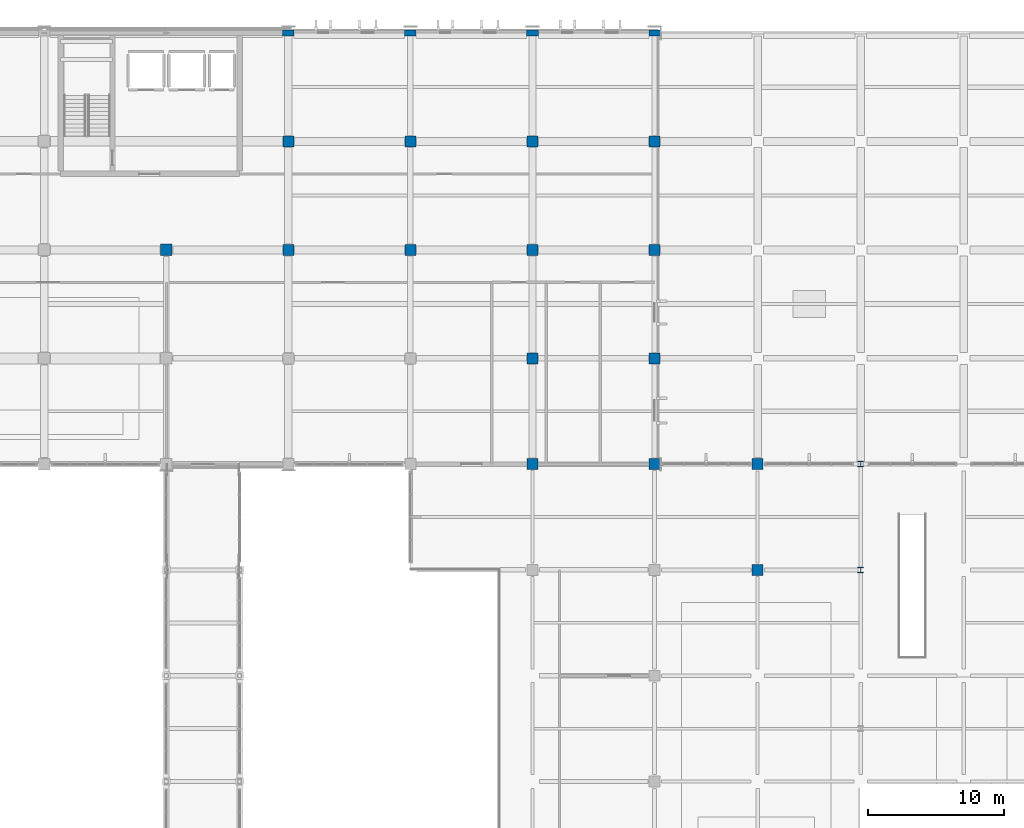
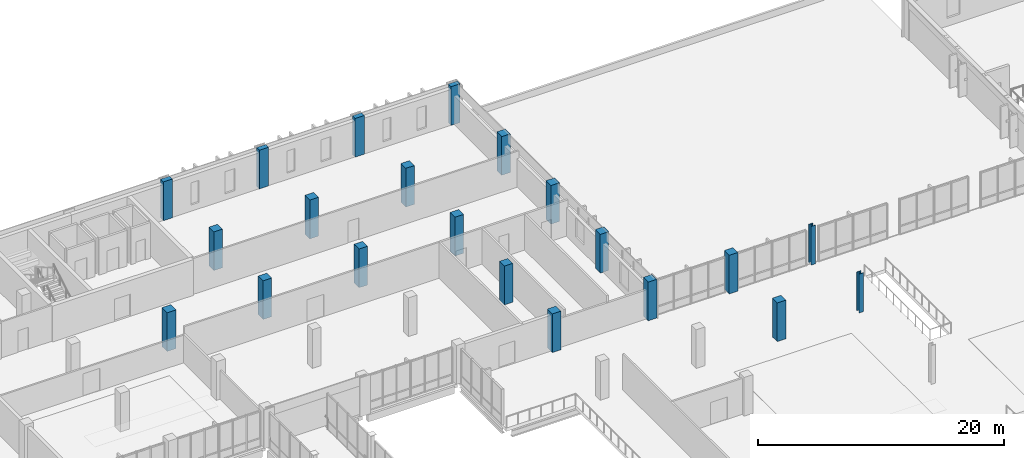
# One storey, part 11 of 85: 21 columns.
"""IFC4 building model written with IfcOpenShell, lengths in metres."""

import ifcopenshell
import ifcopenshell.guid

model = None  # the IFC model being written
_history = None  # IfcOwnerHistory: only IFC2X3 demands one
_inside = {}  # id of a spatial element -> (the spatial element, [elements in it])
_under = {}  # id of a project, library or spatial element -> (it, [spatial elements below it])
_declared = {}  # id of a project -> (the project, [libraries it declares])
_typed = {}  # id of a type object -> (the type object, [elements of that type])
_made_of = {}  # id of a material, layer set ... -> (it, [elements and type objects made of it])


def new_model(schema):
    """Start an empty IFC model of exactly this schema.

    Asked for "IFC4X3", IfcOpenShell would pick the latest addendum, in which some entities
    have other attributes; the version numbers below select the first issue.
    IFC2X3 requires an IfcOwnerHistory on every rooted entity: one is made here for all.
    """
    global model, _history
    if schema == "IFC4X3":
        model = ifcopenshell.file(schema_version=(4, 3, 0, 0))
    else:
        model = ifcopenshell.file(schema=schema)
    _inside.clear()
    _under.clear()
    _declared.clear()
    _typed.clear()
    _made_of.clear()
    _history = None
    if model.schema == "IFC2X3":
        org = make("IfcOrganization", Name="unknown")
        user = make(
            "IfcPersonAndOrganization",
            ThePerson=make("IfcPerson", FamilyName="unknown"),
            TheOrganization=org,
        )
        app = make(
            "IfcApplication",
            ApplicationDeveloper=org,
            Version="unknown",
            ApplicationFullName="unknown",
            ApplicationIdentifier="unknown",
        )
        _history = make(
            "IfcOwnerHistory",
            OwningUser=user,
            OwningApplication=app,
            ChangeAction="ADDED",
            CreationDate=0,
        )
    return model


def make(cls, **values):
    """One entity of the class cls with the attributes given. An attribute that is None is left unset."""
    return model.create_entity(
        cls, **{name: value for name, value in values.items() if value is not None}
    )


def rooted(cls, **values):
    """An entity with a GlobalId (a new one), such as an element, a storey or a relation."""
    return make(cls, GlobalId=ifcopenshell.guid.new(), OwnerHistory=_history, **values)


def si_unit(unit_type, name, prefix=None):
    """IfcSIUnit, for example si_unit("LENGTHUNIT", "METRE", prefix="MILLI")."""
    return make("IfcSIUnit", UnitType=unit_type, Prefix=prefix, Name=name)


def assignment(units):
    """IfcUnitAssignment: the units of a project."""
    return None if units is None else make("IfcUnitAssignment", Units=units)


def point(xyz):
    """IfcCartesianPoint."""
    return None if xyz is None else make("IfcCartesianPoint", Coordinates=xyz)


def direction(xyz):
    """IfcDirection."""
    return None if xyz is None else make("IfcDirection", DirectionRatios=xyz)


def frame(location, z_axis=None, x_axis=None):
    """IfcAxis2Placement3D, a coordinate frame: its origin and axes. An axis left out is left unset."""
    return make(
        "IfcAxis2Placement3D",
        Location=point(location),
        Axis=direction(z_axis),
        RefDirection=direction(x_axis),
    )


def frame_2d(location, x_axis=None):
    """IfcAxis2Placement2D, a coordinate frame in the plane: its origin and x axis."""
    return make(
        "IfcAxis2Placement2D", Location=point(location), RefDirection=direction(x_axis)
    )


def origin():
    """The frame at (0, 0, 0) with its axes left unset."""
    return frame((0.0, 0.0, 0.0))


def origin_2d():
    """The frame at (0, 0) in the plane with its x axis left unset."""
    return frame_2d((0.0, 0.0))


def place(relative_to, where):
    """IfcLocalPlacement: puts the frame where relative to a parent placement (None: the world)."""
    return make(
        "IfcLocalPlacement", PlacementRelTo=relative_to, RelativePlacement=where
    )


def context(
    kind, dimensions, precision=None, world=None, true_north=None, identifier=None
):
    """IfcGeometricRepresentationContext, for example the 3D "Model" context."""
    return make(
        "IfcGeometricRepresentationContext",
        ContextIdentifier=identifier,
        ContextType=kind,
        CoordinateSpaceDimension=dimensions,
        Precision=precision,
        WorldCoordinateSystem=world,
        TrueNorth=true_north,
    )


def subcontext(parent, identifier, kind, view, scale=None):
    """IfcGeometricRepresentationSubContext, for example "Body" below "Model"."""
    return make(
        "IfcGeometricRepresentationSubContext",
        ContextIdentifier=identifier,
        ContextType=kind,
        ParentContext=parent,
        TargetScale=scale,
        TargetView=view,
    )


def project(units=None, contexts=None):
    """IfcProject with its units and contexts."""
    return rooted(
        "IfcProject",
        Name="project",
        RepresentationContexts=contexts,
        UnitsInContext=assignment(units),
    )


def spatial(cls, under=None, at=None, **own):
    """A site, building, storey or space (cls), placed at a placement, below another one or the project."""
    s = rooted(cls, ObjectPlacement=at, **own)
    if under is not None:
        _under.setdefault(under.id(), (under, []))[1].append(s)
    return s


def profile(cls, at=None, kind="AREA", **sizes):
    """A parametric profile (cls). Its sizes go by their IFC names, for example OverallWidth=200.0."""
    return make(cls, ProfileType=kind, Position=at, **sizes)


def rectangle(**sizes):
    """IfcRectangleProfileDef."""
    return profile("IfcRectangleProfileDef", **sizes)


def i_section(**sizes):
    """IfcIShapeProfileDef."""
    return profile("IfcIShapeProfileDef", **sizes)


def extrude(swept, where, along, depth):
    """IfcExtrudedAreaSolid: the profile swept, set in the frame where, extruded along a direction by depth."""
    return make(
        "IfcExtrudedAreaSolid",
        SweptArea=swept,
        Position=where,
        ExtrudedDirection=direction(along),
        Depth=depth,
    )


def shape(context_of_items, identifier, shape_type, items):
    """IfcShapeRepresentation: the items that make up one representation, for example the "Body"."""
    return make(
        "IfcShapeRepresentation",
        ContextOfItems=context_of_items,
        RepresentationIdentifier=identifier,
        RepresentationType=shape_type,
        Items=items,
    )


def material(Name=None, Category=None):
    """IfcMaterial."""
    return make("IfcMaterial", Name=Name, Category=Category)


def material_profile(
    of_material, cross_section, Name=None, Category=None, Priority=None
):
    """IfcMaterialProfile: a cross section and its material."""
    return make(
        "IfcMaterialProfile",
        Name=Name,
        Material=of_material,
        Profile=cross_section,
        Priority=Priority,
        Category=Category,
    )


def profile_set(profiles, Name=None, composite=None):
    """IfcMaterialProfileSet."""
    return make(
        "IfcMaterialProfileSet",
        Name=Name,
        MaterialProfiles=profiles,
        CompositeProfile=composite,
    )


def made_of(thing, what):
    """Note that an element or type object is made of a material, layer set ...; save() writes the relation."""
    if what is not None:
        _made_of.setdefault(what.id(), (what, []))[1].append(thing)
    return thing


def type_object(cls, material=None, **own):
    """A type object (cls), such as IfcWallType, which elements share."""
    return made_of(rooted(cls, **own), material)


def element(
    cls,
    number,
    at=None,
    inside=None,
    cuts=None,
    type_object=None,
    material=None,
    context=None,
    identifier="Body",
    shape_type=None,
    held_by="IfcProductDefinitionShape",
    body=None,
    shapes=None,
    **own,
):
    """One element of the class cls, such as IfcWall. Its Tag is "e" and its number.

    at: its placement. inside: the storey or other place that contains it. cuts: it is an
    opening in that element (IfcRelVoidsElement). A single representation is given by context,
    identifier, shape_type and body (its items); several are given by shapes. held_by: the class
    of the entity that holds the representations. save() writes the other relations.
    """
    e = rooted(cls, Tag="e%d" % number, ObjectPlacement=at, **own)
    if body is not None:
        shapes = [shape(context, identifier, shape_type, body)]
    if shapes is not None:
        e.Representation = make(held_by, Representations=shapes)
    if inside is not None:
        _inside.setdefault(inside.id(), (inside, []))[1].append(e)
    if cuts is not None:
        rooted(
            "IfcRelVoidsElement", RelatingBuildingElement=cuts, RelatedOpeningElement=e
        )
    if type_object is not None:
        _typed.setdefault(type_object.id(), (type_object, []))[1].append(e)
    return made_of(e, material)


def aggregate(whole, parts):
    """IfcRelAggregates: a whole, such as a stair, and the parts it consists of."""
    return rooted("IfcRelAggregates", RelatingObject=whole, RelatedObjects=parts)


def save(model, path):
    """Write the relations noted so far, then the file.

    IfcRelAggregates (storeys below a building ...), IfcRelContainedInSpatialStructure (elements
    in a storey), IfcRelDefinesByType, IfcRelAssociatesMaterial and IfcRelDeclares: one each for
    every whole, place, type object, material and project.
    """
    for whole, parts in _under.values():
        aggregate(whole, parts)
    for where, things in _inside.values():
        rooted(
            "IfcRelContainedInSpatialStructure",
            RelatedElements=things,
            RelatingStructure=where,
        )
    for kind, things in _typed.values():
        rooted("IfcRelDefinesByType", RelatedObjects=things, RelatingType=kind)
    for what, things in _made_of.values():
        rooted("IfcRelAssociatesMaterial", RelatedObjects=things, RelatingMaterial=what)
    for by, libraries in _declared.values():
        rooted("IfcRelDeclares", RelatingContext=by, RelatedDefinitions=libraries)
    model.write(path)


model = new_model("IFC4")

# Units and contexts
model_context = context("Model", 3, precision=1e-05, world=origin(), true_north=direction((0.0, 1.0)))
body_context = subcontext(model_context, "Body", "Model", "MODEL_VIEW")
ifc_project = project(units=[si_unit("LENGTHUNIT", "METRE"), si_unit("AREAUNIT", "SQUARE_METRE"), si_unit("VOLUMEUNIT", "CUBIC_METRE"), si_unit("PLANEANGLEUNIT", "RADIAN"), si_unit("MASSUNIT", "GRAM", prefix="KILO")], contexts=[model_context])

# Site, building, storey
site_placement = place(None, origin())
site = spatial("IfcSite", under=ifc_project, at=site_placement, CompositionType="ELEMENT")
building_placement = place(site_placement, origin())
building = spatial("IfcBuilding", under=site, at=building_placement, Name="Vervanel Yard Central Library", CompositionType="ELEMENT")
storey_placement = place(building_placement, frame((0.0, 0.0, 5.10009765625)))
storey = spatial("IfcBuildingStorey", under=building, at=storey_placement, Name="L01", CompositionType="ELEMENT", Elevation=5.10009765625)

# Columns
ifc_material_1 = material(Name="Concrete C45/55", Category="concrete")
ifc_material_profile_1 = material_profile(ifc_material_1, rectangle(XDim=0.800048828125, YDim=0.800048828125, at=origin_2d()), Name="RC 800x800", Category="concrete")
ifc_profile_set_1 = profile_set([ifc_material_profile_1], Name="Concrete C45/55")
column_type_1 = type_object("IfcColumnType", Name="Concrete Column 800x800", PredefinedType="COLUMN", material=ifc_profile_set_1)
for number, where, z_axis, x_axis, name in (
    (1, (81.0, 98.0, 0.0), (0.0, 0.0, 1.0), (1.0, 0.0, 0.0), "L01 Concrete Column 800x800 (81.0, 98.0)"),
    (2, (81.0, 106.0, 0.0), (0.0, 0.0, 1.0), (1.0, 0.0, 0.0), "L01 Concrete Column 800x800 (81.0, 106.0)"),
    (3, (90.0, 98.0, 0.0), (0.0, 0.0, 1.0), (1.0, 0.0, 0.0), "L01 Concrete Column 800x800 (90.0, 98.0)"),
    (4, (90.0, 106.0, 0.0), (0.0, 0.0, 1.0), (1.0, 0.0, 0.0), "L01 Concrete Column 800x800 (90.0, 106.0)"),
    (5, (99.0, 82.199951171875, 0.0), (0.0, 0.0, 1.0), (1.0, 0.0, 0.0), "L01 Concrete Column 800x800 (99.0, 82.2)"),
    (6, (99.0, 90.0, 0.0), (0.0, 0.0, 1.0), (1.0, 0.0, 0.0), "L01 Concrete Column 800x800 (99.0, 90.0)"),
    (7, (99.0, 98.0, 0.0), (0.0, 0.0, 1.0), (1.0, 0.0, 0.0), "L01 Concrete Column 800x800 (99.0, 98.0)"),
    (8, (99.0, 106.0, 0.0), (0.0, 0.0, 1.0), (1.0, 0.0, 0.0), "L01 Concrete Column 800x800 (99.0, 106.0)"),
    (9, (108.0, 82.199951171875, 0.0), (0.0, 0.0, 1.0), (1.0, 0.0, 0.0), "L01 Concrete Column 800x800 (108.0, 82.2)"),
    (10, (108.0, 90.0, 0.0), (0.0, 0.0, 1.0), (1.0, 0.0, 0.0), "L01 Concrete Column 800x800 (108.0, 90.0)"),
    (11, (108.0, 98.0, 0.0), (0.0, 0.0, 1.0), (1.0, 0.0, 0.0), "L01 Concrete Column 800x800 (108.0, 98.0)"),
    (12, (108.0, 106.0, 0.0), (0.0, 0.0, 1.0), (1.0, 0.0, 0.0), "L01 Concrete Column 800x800 (108.0, 106.0)"),
    (13, (115.60009765625, 74.39990234375, 0.0), (0.0, 0.0, 1.0), (1.0, 0.0, 0.0), "L01 Concrete Column 800x800 (115.6, 74.4)"),
    (14, (115.60009765625, 82.199951171875, 0.0), (0.0, 0.0, 1.0), (1.0, 0.0, 0.0), "L01 Concrete Column 800x800 (115.6, 82.2)"),
):
    element("IfcColumn", number, at=place(storey_placement, frame(where, z_axis=z_axis, x_axis=x_axis)), inside=storey, type_object=column_type_1, Name=name, PredefinedType="COLUMN", context=body_context, shape_type="SweptSolid", body=[
        extrude(rectangle(XDim=0.800048828125, YDim=0.800048828125, at=origin_2d()), origin(), (0.0, 0.0, 1.0), 3.83984375),
    ])
ifc_material_profile_2 = material_profile(ifc_material_1, rectangle(XDim=0.85009765625, YDim=0.85009765625, at=origin_2d()), Name="RC 850x850", Category="concrete")
ifc_profile_set_2 = profile_set([ifc_material_profile_2], Name="Concrete C45/55")
column_type_2 = type_object("IfcColumnType", Name="Concrete Column 850x850", PredefinedType="COLUMN", material=ifc_profile_set_2)
column_placement = place(storey_placement, frame((72.0, 98.0, 0.0), z_axis=(0.0, 0.0, 1.0), x_axis=(1.0, 0.0, 0.0)))
element("IfcColumn", 15, at=column_placement, inside=storey, type_object=column_type_2, Name="L01 Concrete Column 850x850 (72.0, 98.0)", PredefinedType="COLUMN", context=body_context, shape_type="SweptSolid", body=[
    extrude(rectangle(XDim=0.85009765625, YDim=0.85009765625, at=origin_2d()), origin(), (0.0, 0.0, 1.0), 3.83984375),
])
ifc_material_profile_3 = material_profile(ifc_material_1, rectangle(XDim=0.449951171875, YDim=0.85009765625, at=origin_2d()), Name="RC 450x850", Category="concrete")
ifc_profile_set_3 = profile_set([ifc_material_profile_3], Name="Concrete C45/55")
column_type_3 = type_object("IfcColumnType", Name="Stack Spine Column 450x850", PredefinedType="COLUMN", material=ifc_profile_set_3)
for number, where, z_axis, x_axis, name in (
    (16, (81.0, 114.0, 0.0), (0.0, 0.0, 1.0), (0.0, 1.0, 0.0), "L01 Stack Spine Column 450x850 (81.0, 114.0)"),
    (17, (90.0, 114.0, 0.0), (0.0, 0.0, 1.0), (0.0, 1.0, 0.0), "L01 Stack Spine Column 450x850 (90.0, 114.0)"),
    (18, (99.0, 114.0, 0.0), (0.0, 0.0, 1.0), (0.0, 1.0, 0.0), "L01 Stack Spine Column 450x850 (99.0, 114.0)"),
    (19, (108.0, 114.0, 0.0), (0.0, 0.0, 1.0), (0.0, 1.0, 0.0), "L01 Stack Spine Column 450x850 (108.0, 114.0)"),
):
    element("IfcColumn", number, at=place(storey_placement, frame(where, z_axis=z_axis, x_axis=x_axis)), inside=storey, type_object=column_type_3, Name=name, PredefinedType="COLUMN", context=body_context, shape_type="SweptSolid", body=[
        extrude(rectangle(XDim=0.449951171875, YDim=0.85009765625, at=origin_2d()), origin(), (0.0, 0.0, 1.0), 3.83984375),
    ])
ifc_material_2 = material(Name="Steel ASTM A992 Grade 50", Category="steel")
ifc_material_profile_4 = material_profile(ifc_material_2, i_section(OverallWidth=0.4013671875, OverallDepth=0.398681640625, WebThickness=0.02490234375, FlangeThickness=0.03955078125, at=origin_2d()), Name="W14X211", Category="steel")
ifc_profile_set_4 = profile_set([ifc_material_profile_4], Name="Steel ASTM A992 Grade 50")
column_type_4 = type_object("IfcColumnType", Name="Steel Tie-Down Column W14X211", PredefinedType="COLUMN", material=ifc_profile_set_4)
for number, where, z_axis, x_axis, name in (
    (20, (123.199951171875, 74.39990234375, 0.0), (0.0, 0.0, 1.0), (1.0, 0.0, 0.0), "L01 Steel Tie-Down Column W14X211 (123.2, 74.4)"),
    (21, (123.199951171875, 82.199951171875, 0.0), (0.0, 0.0, 1.0), (1.0, 0.0, 0.0), "L01 Steel Tie-Down Column W14X211 (123.2, 82.2)"),
):
    element("IfcColumn", number, at=place(storey_placement, frame(where, z_axis=z_axis, x_axis=x_axis)), inside=storey, type_object=column_type_4, Name=name, PredefinedType="COLUMN", context=body_context, shape_type="SweptSolid", body=[
        extrude(i_section(OverallWidth=0.4013671875, OverallDepth=0.398681640625, WebThickness=0.02490234375, FlangeThickness=0.03955078125, at=origin_2d()), origin(), (0.0, 0.0, 1.0), 3.83984375),
    ])

save(model, "model.ifc")
